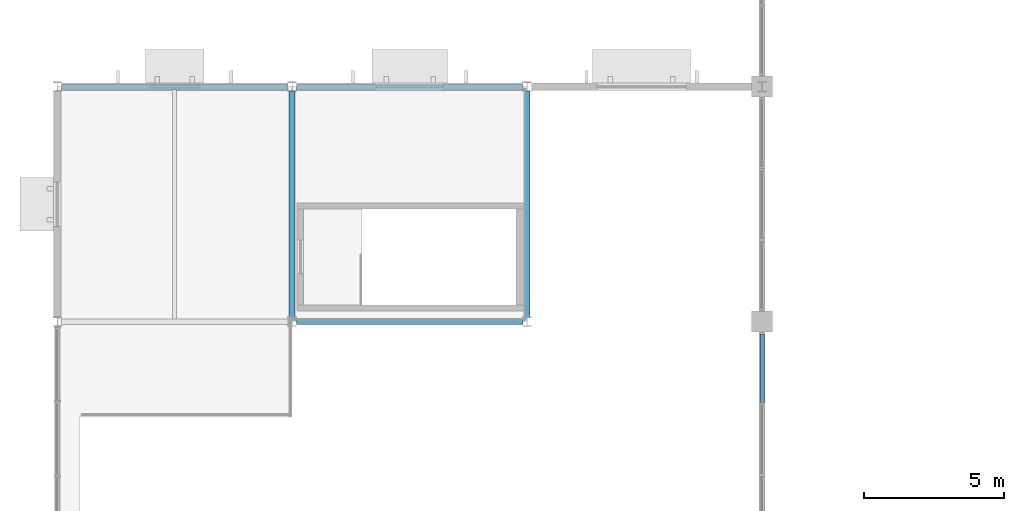
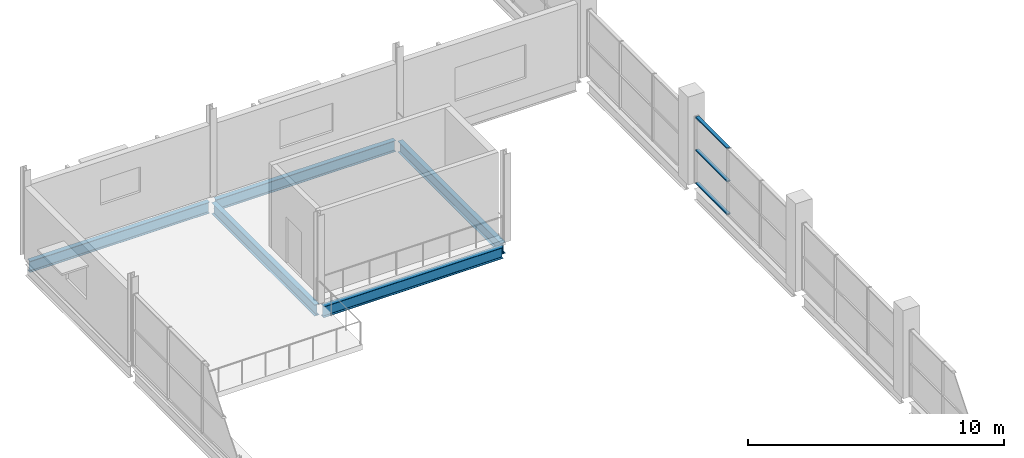
# One storey, part 21 of 68: 5 beams, 3 members, 1 element without a shape of its own.
"""IFC4 building model written with IfcOpenShell, lengths in metres."""

from ifc_helpers import new_model, si_unit, direction, frame, origin, origin_2d, place, context, subcontext, project, spatial, hollow_rectangle, i_section, extrude, material, material_profile, profile_set, type_object, element, aggregate, save


model = new_model("IFC4")

# Units and contexts
model_context = context("Model", 3, precision=1e-05, world=origin(), true_north=direction((0.0, 1.0)))
body_context = subcontext(model_context, "Body", "Model", "MODEL_VIEW")
ifc_project = project(units=[si_unit("LENGTHUNIT", "METRE"), si_unit("AREAUNIT", "SQUARE_METRE"), si_unit("VOLUMEUNIT", "CUBIC_METRE"), si_unit("PLANEANGLEUNIT", "RADIAN"), si_unit("MASSUNIT", "GRAM", prefix="KILO"), si_unit("THERMODYNAMICTEMPERATUREUNIT", "KELVIN")], contexts=[model_context])

# Site, building, storey
site_placement = place(None, origin())
site = spatial("IfcSite", under=ifc_project, at=site_placement, CompositionType="ELEMENT")
building_placement = place(site_placement, origin())
building = spatial("IfcBuilding", under=site, at=building_placement, Name="Nduvali Passage Aquatics Centre", CompositionType="ELEMENT")
storey_placement = place(building_placement, frame((0.0, 0.0, 13.199951171875)))
storey = spatial("IfcBuildingStorey", under=building, at=storey_placement, Name="L03", CompositionType="ELEMENT", Elevation=13.199951171875)

# Curtain wall, members
ifc_material_1 = material(Name="Aluminium EN AW-6063 T6", Category="aluminium")
curtain_wall_type = type_object("IfcCurtainWallType", Name="ENV-CW-CLER", PredefinedType="NOTDEFINED", material=ifc_material_1)
curtain_wall_placement = place(storey_placement, origin())
curtain_wall = element("IfcCurtainWall", 1, at=curtain_wall_placement, inside=storey, type_object=curtain_wall_type, Name="L03 West Pool Hall Upper Clerestory 009", PredefinedType="NOTDEFINED")
ifc_material_profile_1 = material_profile(ifc_material_1, hollow_rectangle(XDim=0.14990234375, YDim=0.06005859375, WallThickness=0.00390625, at=origin_2d()), Name="ALU TRANSOM 150x60x4")
ifc_profile_set_1 = profile_set([ifc_material_profile_1], Name="Aluminium EN AW-6063 T6")
member_type = type_object("IfcMemberType", Name="ENV-MEM-TRN80", PredefinedType="USERDEFINED", material=ifc_profile_set_1)
member_1_placement = place(storey_placement, frame((25.199951171875, 72.705078125, 0.030029296875), z_axis=(0.0, 1.0, 0.0), x_axis=(-1.0, 0.0, 0.0)))
member_1 = element("IfcMember", 2, at=member_1_placement, type_object=member_type, Name="West Pool Hall Upper Clerestory Transom B3-R0", ObjectType="TRANSOM", PredefinedType="USERDEFINED", context=body_context, shape_type="SweptSolid", body=[
    extrude(hollow_rectangle(XDim=0.14990234375, YDim=0.06005859375, WallThickness=0.00390625, at=origin_2d()), origin(), (0.0, 0.0, 1.0), 2.4599609375),
])
member_2_placement = place(storey_placement, frame((25.199951171875, 72.705078125, 1.60009765625), z_axis=(0.0, 1.0, 0.0), x_axis=(-1.0, 0.0, 0.0)))
member_2 = element("IfcMember", 3, at=member_2_placement, type_object=member_type, Name="West Pool Hall Upper Clerestory Transom B3-R1", ObjectType="TRANSOM", PredefinedType="USERDEFINED", context=body_context, shape_type="SweptSolid", body=[
    extrude(hollow_rectangle(XDim=0.14990234375, YDim=0.06005859375, WallThickness=0.00390625, at=origin_2d()), origin(), (0.0, 0.0, 1.0), 2.4599609375),
])
member_3_placement = place(storey_placement, frame((25.199951171875, 72.705078125, 3.170166015625), z_axis=(0.0, 1.0, 0.0), x_axis=(-1.0, 0.0, 0.0)))
member_3 = element("IfcMember", 4, at=member_3_placement, type_object=member_type, Name="West Pool Hall Upper Clerestory Transom B3-R2", ObjectType="TRANSOM", PredefinedType="USERDEFINED", context=body_context, shape_type="SweptSolid", body=[
    extrude(hollow_rectangle(XDim=0.14990234375, YDim=0.06005859375, WallThickness=0.00390625, at=origin_2d()), origin(), (0.0, 0.0, 1.0), 2.4599609375),
])
aggregate(curtain_wall, [member_1, member_2, member_3])

# Beams
ifc_material_2 = material(Name="Steel S355", Category="steel")
ifc_material_profile_2 = material_profile(ifc_material_2, i_section(OverallWidth=0.210693359375, OverallDepth=0.53955078125, WebThickness=0.01171875, FlangeThickness=0.018798828125, FilletRadius=0.0126953125, at=origin_2d()), Name="UKB 533x210x109")
ifc_profile_set_2 = profile_set([ifc_material_profile_2], Name="Steel S355")
beam_type_1 = type_object("IfcBeamType", Name="STR-BM-UKB533", PredefinedType="BEAM", material=ifc_profile_set_2)
for number, where, z_axis, x_axis, name in (
    (5, (8.39990234375, 75.77001953125, -0.523681640625), (0.0, 1.0, 0.0), (-1.0, 0.0, 0.0), "L03 Primary Y-Girder B6-1246"),
    (6, (16.800048828125, 75.77001953125, -0.523681640625), (0.0, 1.0, 0.0), (-1.0, 0.0, 0.0), "L03 Primary Y-Girder B6-1248"),
):
    element("IfcBeam", number, at=place(storey_placement, frame(where, z_axis=z_axis, x_axis=x_axis)), inside=storey, type_object=beam_type_1, Name=name, PredefinedType="BEAM", context=body_context, shape_type="SweptSolid", body=[
        extrude(i_section(OverallWidth=0.210693359375, OverallDepth=0.53955078125, WebThickness=0.01171875, FlangeThickness=0.018798828125, FilletRadius=0.0126953125, at=origin_2d()), origin(), (0.0, 0.0, 1.0), 8.06005859375),
    ])
ifc_material_profile_3 = material_profile(ifc_material_2, i_section(OverallWidth=0.209228515625, OverallDepth=0.533203125, WebThickness=0.010009765625, FlangeThickness=0.015625, FilletRadius=0.0126953125, at=origin_2d()), Name="UKB 533x210x92")
ifc_profile_set_3 = profile_set([ifc_material_profile_3], Name="Steel S355")
beam_type_2 = type_object("IfcBeamType", Name="STR-BM-UKB533L", PredefinedType="BEAM", material=ifc_profile_set_3)
beam_1_placement = place(storey_placement, frame((8.550048828125, 75.60009765625, -0.5205078125), z_axis=(1.0, 0.0, 0.0), x_axis=(0.0, 1.0, 0.0)))
element("IfcBeam", 7, at=beam_1_placement, inside=storey, type_object=beam_type_2, Name="L03 Primary X-Girder B6A-1212", PredefinedType="BEAM", context=body_context, shape_type="SweptSolid", body=[
    extrude(i_section(OverallWidth=0.209228515625, OverallDepth=0.533203125, WebThickness=0.010009765625, FlangeThickness=0.015625, FilletRadius=0.0126953125, at=origin_2d()), origin(), (0.0, 0.0, 1.0), 8.099853515625),
])
beam_2_placement = place(storey_placement, frame((0.14990234375, 84.0, -0.5205078125), z_axis=(1.0, 0.0, 0.0), x_axis=(0.0, 1.0, 0.0)))
element("IfcBeam", 8, at=beam_2_placement, inside=storey, type_object=beam_type_2, Name="L03 Primary X-Girder B6A-1214", PredefinedType="BEAM", context=body_context, shape_type="SweptSolid", body=[
    extrude(i_section(OverallWidth=0.209228515625, OverallDepth=0.533203125, WebThickness=0.010009765625, FlangeThickness=0.015625, FilletRadius=0.0126953125, at=origin_2d()), origin(), (0.0, 0.0, 1.0), 8.10009765625),
])
beam_3_placement = place(storey_placement, frame((8.550048828125, 84.0, -0.5205078125), z_axis=(1.0, 0.0, 0.0), x_axis=(0.0, 1.0, 0.0)))
element("IfcBeam", 9, at=beam_3_placement, inside=storey, type_object=beam_type_2, Name="L03 Primary X-Girder B6A-1215", PredefinedType="BEAM", context=body_context, shape_type="SweptSolid", body=[
    extrude(i_section(OverallWidth=0.209228515625, OverallDepth=0.533203125, WebThickness=0.010009765625, FlangeThickness=0.015625, FilletRadius=0.0126953125, at=origin_2d()), origin(), (0.0, 0.0, 1.0), 8.099853515625),
])

save(model, "model.ifc")
